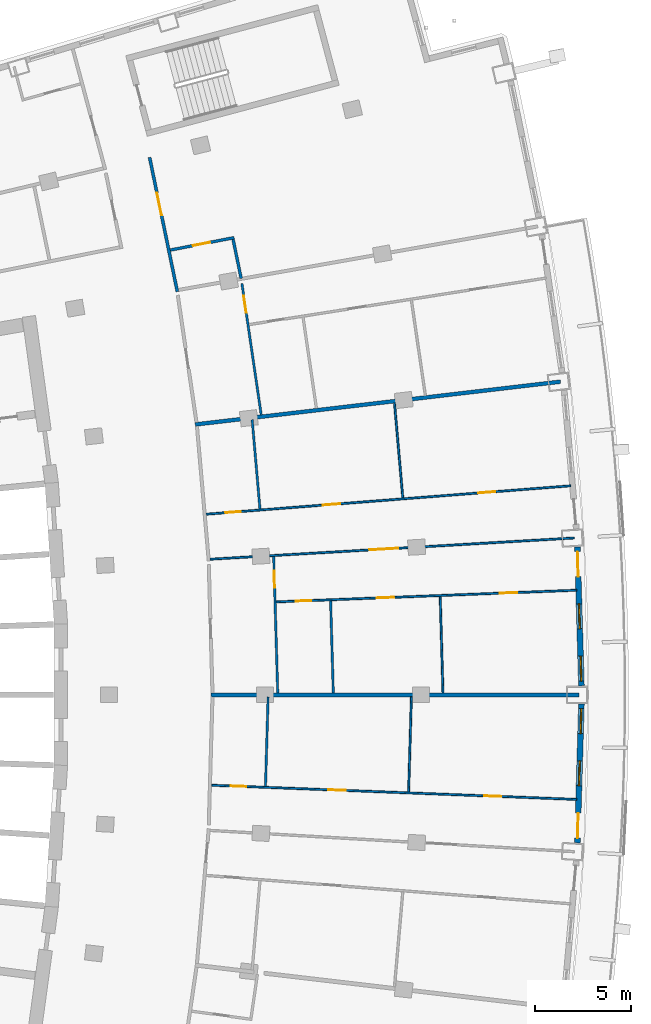
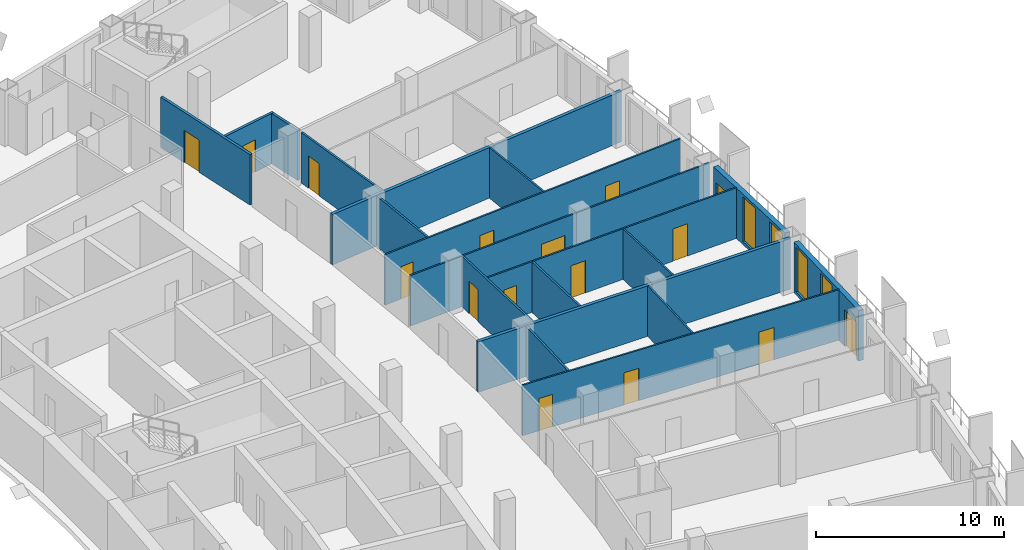
# One storey, part 15 of 21: 19 walls, 16 doors, 4 windows, 20 openings.
"""IFC4 building model written with IfcOpenShell, lengths in metres."""

from ifc_helpers import new_model, si_unit, direction, frame, frame_2d, origin, place, context, subcontext, project, spatial, rectangle, extrude, material, layer, layer_set, type_object, element, fill, save


model = new_model("IFC4")

# Units and contexts
model_context = context("Model", 3, precision=1e-05, world=origin(), true_north=direction((0.0, 1.0)))
body_context = subcontext(model_context, "Body", "Model", "MODEL_VIEW")
ifc_project = project(units=[si_unit("LENGTHUNIT", "METRE"), si_unit("AREAUNIT", "SQUARE_METRE"), si_unit("VOLUMEUNIT", "CUBIC_METRE"), si_unit("PLANEANGLEUNIT", "RADIAN"), si_unit("MASSUNIT", "GRAM", prefix="KILO")], contexts=[model_context])

# Site, building, storey
site_placement = place(None, origin())
site = spatial("IfcSite", under=ifc_project, at=site_placement, CompositionType="ELEMENT")
building_placement = place(site_placement, origin())
building = spatial("IfcBuilding", under=site, at=building_placement, Name="Alderwake Tower", CompositionType="ELEMENT")
storey_placement = place(building_placement, frame((0.0, 0.0, 146.0)))
storey = spatial("IfcBuildingStorey", under=building, at=storey_placement, Name="L35", CompositionType="ELEMENT", Elevation=146.0)

# Wall, opening, door
ifc_material_1 = material(Name="Gypsum board on metal studs, rated")
ifc_layer_1 = layer(ifc_material_1, 0.159912109375)
ifc_layer_set_1 = layer_set([ifc_layer_1], Name="Corridor wall 160")
wall_type_1 = type_object("IfcWallType", Name="Corridor wall 160", PredefinedType="PARTITIONING", material=ifc_layer_set_1)
wall_1_placement = place(storey_placement, frame((37.9169921875, 89.02490234375, 0.0), z_axis=(0.0, 0.0, 1.0), x_axis=(0.202409142021, -0.979301046271, 0.0)))
wall_1 = element("IfcWall", 1, at=wall_1_placement, inside=storey, type_object=wall_type_1, Name="WL/L35/W23", PredefinedType="PARTITIONING", context=body_context, shape_type="SweptSolid", body=[
    extrude(rectangle(XDim=7.150146484375, YDim=0.159912109375, at=frame_2d((3.5751953125, 0.0))), origin(), (0.0, 0.0, 1.0), 3.280029296875),
])
opening_1_placement = place(wall_1_placement, frame((1.874755859375, 0.0, 0.0)))
opening_1 = element("IfcOpeningElement", 2, at=opening_1_placement, cuts=wall_1, Name="Opening R09-AM1.1", PredefinedType="OPENING", context=body_context, shape_type="SweptSolid", body=[
    extrude(rectangle(XDim=1.199951171875, YDim=2.10009765625, at=frame_2d((0.60009765625, 1.050048828125))), frame((0.0, 0.08984375, 0.0), z_axis=(0.0, -1.0, 0.0), x_axis=(1.0, 0.0, 0.0)), (0.0, 0.0, 1.0), 0.179931640625),
])
ifc_material_2 = material(Name="Steel-framed fire door leaf", Category="steel")
door_type_1 = type_object("IfcDoorType", Name="Lobby door 1200 fire-rated", OperationType="SINGLE_SWING_LEFT", PredefinedType="DOOR", material=ifc_material_2)
door_1_placement = place(opening_1_placement, origin())
door_1 = element("IfcDoor", 3, at=door_1_placement, inside=storey, type_object=door_type_1, Name="DR/L35/AM1.1", OperationType="SINGLE_SWING_LEFT", OverallHeight=2.10009765625, OverallWidth=1.199951171875, PredefinedType="DOOR", context=body_context, shape_type="SweptSolid", body=[
    extrude(rectangle(XDim=1.199951171875, YDim=2.10009765625, at=frame_2d((0.60009765625, 1.050048828125))), frame((0.0, 0.02490234375, 0.0), z_axis=(0.0, -1.0, 0.0), x_axis=(1.0, 0.0, 0.0)), (0.0, 0.0, 1.0), 0.050048828125),
])
fill(opening_1, door_1)

# Wall, openings, door, windows
ifc_material_3 = material(Name="Precast concrete C50/60 spandrel panel", Category="concrete")
ifc_layer_2 = layer(ifc_material_3, 0.300048828125)
ifc_layer_set_2 = layer_set([ifc_layer_2], Name="External wall EW1 Precast concrete C50/60 spandrel")
wall_type_2 = type_object("IfcWallType", Name="External wall EW1 Precast concrete C50/60 spandrel", PredefinedType="SOLIDWALL", material=ifc_layer_set_2)
wall_2_placement = place(storey_placement, frame((60.224853515625, 53.28466796875, 0.0), z_axis=(0.0, 0.0, 1.0), x_axis=(0.02918022007, 0.999574166711, 0.0)))
wall_2 = element("IfcWall", 4, at=wall_2_placement, inside=storey, type_object=wall_type_2, Name="External wall 15", PredefinedType="SOLIDWALL", context=body_context, shape_type="SweptSolid", body=[
    extrude(rectangle(XDim=7.24560546875, YDim=0.300048828125, at=frame_2d((3.622802734375, 0.0))), origin(), (0.0, 0.0, 1.0), 3.280029296875),
])
opening_2_placement = place(wall_2_placement, frame((0.2470703125, 0.0, 0.0)))
opening_2 = element("IfcOpeningElement", 5, at=opening_2_placement, cuts=wall_2, Name="Opening D05", PredefinedType="OPENING", context=body_context, shape_type="SweptSolid", body=[
    extrude(rectangle(XDim=1.300048828125, YDim=2.39990234375, at=frame_2d((0.64990234375, 1.199951171875))), frame((0.0, 0.159912109375, 0.0), z_axis=(0.0, -1.0, 0.0), x_axis=(1.0, 0.0, 0.0)), (0.0, 0.0, 1.0), 0.320068359375),
])
opening_3_placement = place(wall_2_placement, frame((2.97265625, 0.0, 0.199951171875)))
opening_3 = element("IfcOpeningElement", 6, at=opening_3_placement, cuts=wall_2, Name="Opening W1", PredefinedType="OPENING", context=body_context, shape_type="SweptSolid", body=[
    extrude(rectangle(XDim=1.300048828125, YDim=2.89990234375, at=frame_2d((0.64990234375, 1.449951171875))), frame((0.0, 0.159912109375, 0.0), z_axis=(0.0, -1.0, 0.0), x_axis=(1.0, 0.0, 0.0)), (0.0, 0.0, 1.0), 0.320068359375),
])
opening_4_placement = place(wall_2_placement, frame((5.698486328125, 0.0, 0.199951171875)))
opening_4 = element("IfcOpeningElement", 7, at=opening_4_placement, cuts=wall_2, Name="Opening W1", PredefinedType="OPENING", context=body_context, shape_type="SweptSolid", body=[
    extrude(rectangle(XDim=1.300048828125, YDim=2.89990234375, at=frame_2d((0.64990234375, 1.449951171875))), frame((0.0, 0.159912109375, 0.0), z_axis=(0.0, -1.0, 0.0), x_axis=(1.0, 0.0, 0.0)), (0.0, 0.0, 1.0), 0.320068359375),
])
ifc_material_4 = material(Name="Bronze tinted glass in aluminium frame", Category="aluminium")
door_type_2 = type_object("IfcDoorType", Name="Balcony door BD sliding", OperationType="SLIDING_TO_LEFT", PredefinedType="DOOR", material=ifc_material_4)
door_2_placement = place(opening_2_placement, origin())
door_2 = element("IfcDoor", 8, at=door_2_placement, inside=storey, type_object=door_type_2, Name="Door D05", OperationType="SLIDING_TO_LEFT", OverallHeight=2.39990234375, OverallWidth=1.300048828125, PredefinedType="DOOR", context=body_context, shape_type="SweptSolid", body=[
    extrude(rectangle(XDim=1.300048828125, YDim=2.39990234375, at=frame_2d((0.64990234375, 1.199951171875))), frame((0.0, 0.02490234375, 0.0), z_axis=(0.0, -1.0, 0.0), x_axis=(1.0, 0.0, 0.0)), (0.0, 0.0, 1.0), 0.050048828125),
])
fill(opening_2, door_2)
ifc_material_5 = material(Name="Bronze tinted glass in aluminium frame", Category="aluminium")
window_type = type_object("IfcWindowType", Name="Window W1 tall fixed and vent", PartitioningType="DOUBLE_PANEL_VERTICAL", PredefinedType="WINDOW", material=ifc_material_5)
window_1_placement = place(opening_3_placement, origin())
window_1 = element("IfcWindow", 9, at=window_1_placement, inside=storey, type_object=window_type, Name="Window W1 tall fixed and vent", OverallHeight=2.89990234375, OverallWidth=1.300048828125, PartitioningType="DOUBLE_PANEL_VERTICAL", PredefinedType="WINDOW", context=body_context, shape_type="SweptSolid", body=[
    extrude(rectangle(XDim=1.300048828125, YDim=2.89990234375, at=frame_2d((0.64990234375, 1.449951171875))), frame((0.0, 0.030029296875, 0.0), z_axis=(0.0, -1.0, 0.0), x_axis=(1.0, 0.0, 0.0)), (0.0, 0.0, 1.0), 0.06005859375),
])
fill(opening_3, window_1)
window_2_placement = place(opening_4_placement, origin())
window_2 = element("IfcWindow", 10, at=window_2_placement, inside=storey, type_object=window_type, Name="Window W1 tall fixed and vent", OverallHeight=2.89990234375, OverallWidth=1.300048828125, PartitioningType="DOUBLE_PANEL_VERTICAL", PredefinedType="WINDOW", context=body_context, shape_type="SweptSolid", body=[
    extrude(rectangle(XDim=1.300048828125, YDim=2.89990234375, at=frame_2d((0.64990234375, 1.449951171875))), frame((0.0, 0.030029296875, 0.0), z_axis=(0.0, -1.0, 0.0), x_axis=(1.0, 0.0, 0.0)), (0.0, 0.0, 1.0), 0.06005859375),
])
fill(opening_4, window_2)

wall_3_placement = place(storey_placement, frame((60.436279296875, 61.472900390625, 0.0), z_axis=(0.0, 0.0, 1.0), x_axis=(-0.02918022007, 0.999574166711, 0.0)))
wall_3 = element("IfcWall", 11, at=wall_3_placement, inside=storey, type_object=wall_type_2, Name="External wall 16", PredefinedType="SOLIDWALL", context=body_context, shape_type="SweptSolid", body=[
    extrude(rectangle(XDim=7.24560546875, YDim=0.300048828125, at=frame_2d((3.622802734375, 0.0))), origin(), (0.0, 0.0, 1.0), 3.280029296875),
])
opening_5_placement = place(wall_3_placement, frame((0.2470703125, 0.0, 0.199951171875)))
opening_5 = element("IfcOpeningElement", 12, at=opening_5_placement, cuts=wall_3, Name="Opening W1", PredefinedType="OPENING", context=body_context, shape_type="SweptSolid", body=[
    extrude(rectangle(XDim=1.300048828125, YDim=2.89990234375, at=frame_2d((0.64990234375, 1.449951171875))), frame((0.0, 0.159912109375, 0.0), z_axis=(0.0, -1.0, 0.0), x_axis=(1.0, 0.0, 0.0)), (0.0, 0.0, 1.0), 0.320068359375),
])
opening_6_placement = place(wall_3_placement, frame((2.97265625, 0.0, 0.199951171875)))
opening_6 = element("IfcOpeningElement", 13, at=opening_6_placement, cuts=wall_3, Name="Opening W1", PredefinedType="OPENING", context=body_context, shape_type="SweptSolid", body=[
    extrude(rectangle(XDim=1.300048828125, YDim=2.89990234375, at=frame_2d((0.64990234375, 1.449951171875))), frame((0.0, 0.159912109375, 0.0), z_axis=(0.0, -1.0, 0.0), x_axis=(1.0, 0.0, 0.0)), (0.0, 0.0, 1.0), 0.320068359375),
])
opening_7_placement = place(wall_3_placement, frame((5.698486328125, 0.0, 0.0)))
opening_7 = element("IfcOpeningElement", 14, at=opening_7_placement, cuts=wall_3, Name="Opening D06", PredefinedType="OPENING", context=body_context, shape_type="SweptSolid", body=[
    extrude(rectangle(XDim=1.300048828125, YDim=2.39990234375, at=frame_2d((0.64990234375, 1.199951171875))), frame((0.0, 0.159912109375, 0.0), z_axis=(0.0, -1.0, 0.0), x_axis=(1.0, 0.0, 0.0)), (0.0, 0.0, 1.0), 0.320068359375),
])
door_3_placement = place(opening_7_placement, origin())
door_3 = element("IfcDoor", 15, at=door_3_placement, inside=storey, type_object=door_type_2, Name="Door D06", OperationType="SLIDING_TO_LEFT", OverallHeight=2.39990234375, OverallWidth=1.300048828125, PredefinedType="DOOR", context=body_context, shape_type="SweptSolid", body=[
    extrude(rectangle(XDim=1.300048828125, YDim=2.39990234375, at=frame_2d((0.64990234375, 1.199951171875))), frame((0.0, 0.02490234375, 0.0), z_axis=(0.0, -1.0, 0.0), x_axis=(1.0, 0.0, 0.0)), (0.0, 0.0, 1.0), 0.050048828125),
])
fill(opening_7, door_3)
window_3_placement = place(opening_5_placement, origin())
window_3 = element("IfcWindow", 16, at=window_3_placement, inside=storey, type_object=window_type, Name="Window W1 tall fixed and vent", OverallHeight=2.89990234375, OverallWidth=1.300048828125, PartitioningType="DOUBLE_PANEL_VERTICAL", PredefinedType="WINDOW", context=body_context, shape_type="SweptSolid", body=[
    extrude(rectangle(XDim=1.300048828125, YDim=2.89990234375, at=frame_2d((0.64990234375, 1.449951171875))), frame((0.0, 0.030029296875, 0.0), z_axis=(0.0, -1.0, 0.0), x_axis=(1.0, 0.0, 0.0)), (0.0, 0.0, 1.0), 0.06005859375),
])
fill(opening_5, window_3)
window_4_placement = place(opening_6_placement, origin())
window_4 = element("IfcWindow", 17, at=window_4_placement, inside=storey, type_object=window_type, Name="Window W1 tall fixed and vent", OverallHeight=2.89990234375, OverallWidth=1.300048828125, PartitioningType="DOUBLE_PANEL_VERTICAL", PredefinedType="WINDOW", context=body_context, shape_type="SweptSolid", body=[
    extrude(rectangle(XDim=1.300048828125, YDim=2.89990234375, at=frame_2d((0.64990234375, 1.449951171875))), frame((0.0, 0.030029296875, 0.0), z_axis=(0.0, -1.0, 0.0), x_axis=(1.0, 0.0, 0.0)), (0.0, 0.0, 1.0), 0.06005859375),
])
fill(opening_6, window_4)

# Walls
ifc_material_6 = material(Name="Dense block masonry wall", Category="masonry")
ifc_layer_3 = layer(ifc_material_6, 0.199951171875)
ifc_layer_set_3 = layer_set([ifc_layer_3], Name="Party wall 200")
wall_type_3 = type_object("IfcWallType", Name="Party wall 200", PredefinedType="SOLIDWALL", material=ifc_layer_set_3)
wall_4_placement = place(storey_placement, frame((40.297607421875, 75.0986328125, 0.0), z_axis=(0.0, 0.0, 1.0), x_axis=(0.993202294783, 0.116401037957, 0.0)))
element("IfcWall", 18, at=wall_4_placement, inside=storey, type_object=wall_type_3, Name="WL/L35/W01", PredefinedType="SOLIDWALL", context=body_context, shape_type="SweptSolid", body=[
    extrude(rectangle(XDim=19.1787109375, YDim=0.199951171875, at=frame_2d((9.58935546875, 0.0))), origin(), (0.0, 0.0, 1.0), 3.280029296875),
])
wall_5_placement = place(storey_placement, frame((60.300048828125, 60.9990234375, 0.0), z_axis=(0.0, 0.0, 1.0), x_axis=(-1.0, 0.0, 0.0)))
element("IfcWall", 19, at=wall_5_placement, inside=storey, type_object=wall_type_3, Name="WL/L35/W06", PredefinedType="SOLIDWALL", context=body_context, shape_type="SweptSolid", body=[
    extrude(rectangle(XDim=19.18115234375, YDim=0.199951171875, at=frame_2d((9.590576171875, 0.0))), origin(), (0.0, 0.0, 1.0), 3.280029296875),
])

# Wall, opening, door
ifc_material_7 = material(Name="Gypsum shaft wall system, rated")
ifc_layer_4 = layer(ifc_material_7, 0.14990234375)
ifc_layer_set_4 = layer_set([ifc_layer_4], Name="Riser and shaft wall 150")
wall_type_4 = type_object("IfcWallType", Name="Riser and shaft wall 150", PredefinedType="PARTITIONING", material=ifc_layer_set_4)
wall_6_placement = place(storey_placement, frame((42.32861328125, 84.84228515625, 0.0), z_axis=(0.0, 0.0, 1.0), x_axis=(-0.981655808185, -0.190661674853, 0.0)))
wall_6 = element("IfcWall", 20, at=wall_6_placement, inside=storey, type_object=wall_type_4, Name="WL/L35/W09", PredefinedType="PARTITIONING", context=body_context, shape_type="SweptSolid", body=[
    extrude(rectangle(XDim=3.393310546875, YDim=0.14990234375, at=frame_2d((1.69677734375, 0.0))), origin(), (0.0, 0.0, 1.0), 3.280029296875),
])
opening_8_placement = place(wall_6_placement, frame((1.2841796875, 0.0, 0.0)))
opening_8 = element("IfcOpeningElement", 21, at=opening_8_placement, cuts=wall_6, Name="Opening R09-AM1.2", PredefinedType="OPENING", context=body_context, shape_type="SweptSolid", body=[
    extrude(rectangle(XDim=0.89990234375, YDim=2.10009765625, at=frame_2d((0.449951171875, 1.050048828125))), frame((0.0, 0.0849609375, 0.0), z_axis=(0.0, -1.0, 0.0), x_axis=(1.0, 0.0, 0.0)), (0.0, 0.0, 1.0), 0.169921875),
])
ifc_material_8 = material(Name="Painted timber leaf", Category="wood")
door_type_3 = type_object("IfcDoorType", Name="Room door 900", OperationType="SINGLE_SWING_LEFT", PredefinedType="DOOR", material=ifc_material_8)
door_4_placement = place(opening_8_placement, origin())
door_4 = element("IfcDoor", 22, at=door_4_placement, inside=storey, type_object=door_type_3, Name="DR/L35/AM1.2", OperationType="SINGLE_SWING_LEFT", OverallHeight=2.10009765625, OverallWidth=0.89990234375, PredefinedType="DOOR", context=body_context, shape_type="SweptSolid", body=[
    extrude(rectangle(XDim=0.89990234375, YDim=2.10009765625, at=frame_2d((0.449951171875, 1.050048828125))), frame((0.0, 0.02490234375, 0.0), z_axis=(0.0, -1.0, 0.0), x_axis=(1.0, 0.0, 0.0)), (0.0, 0.0, 1.0), 0.050048828125),
])
fill(opening_8, door_4)

# Wall
wall_7_placement = place(storey_placement, frame((42.69189453125, 82.714599609375, 0.0), z_axis=(0.0, 0.0, 1.0), x_axis=(-0.202423435623, 0.979298091855, 0.0)))
element("IfcWall", 23, at=wall_7_placement, inside=storey, type_object=wall_type_4, Name="WL/L35/W10", PredefinedType="PARTITIONING", context=body_context, shape_type="SweptSolid", body=[
    extrude(rectangle(XDim=2.0830078125, YDim=0.14990234375, at=frame_2d((1.04150390625, 0.0))), origin(), (0.0, 0.0, 1.0), 3.280029296875),
])

# Wall, openings, doors
ifc_material_9 = material(Name="Gypsum board on metal studs")
ifc_layer_5 = layer(ifc_material_9, 0.10009765625)
ifc_layer_set_5 = layer_set([ifc_layer_5], Name="Unit partition 100")
wall_type_5 = type_object("IfcWallType", Name="Unit partition 100", PredefinedType="PARTITIONING", material=ifc_layer_set_5)
wall_8_placement = place(storey_placement, frame((40.867919921875, 70.419189453125, 0.0), z_axis=(0.0, 0.0, 1.0), x_axis=(0.996975008821, 0.077722788071, 0.0)))
wall_8 = element("IfcWall", 24, at=wall_8_placement, inside=storey, type_object=wall_type_5, Name="WL/L35/W46", PredefinedType="PARTITIONING", context=body_context, shape_type="SweptSolid", body=[
    extrude(rectangle(XDim=19.063720703125, YDim=0.10009765625, at=frame_2d((9.53173828125, 0.0))), origin(), (0.0, 0.0, 1.0), 3.280029296875),
])
opening_9_placement = place(wall_8_placement, frame((6.10400390625, 0.0, 0.0)))
opening_9 = element("IfcOpeningElement", 25, at=opening_9_placement, cuts=wall_8, Name="Opening R09-U06.6", PredefinedType="OPENING", context=body_context, shape_type="SweptSolid", body=[
    extrude(rectangle(XDim=0.89990234375, YDim=2.10009765625, at=frame_2d((0.449951171875, 1.050048828125))), frame((0.0, 0.06005859375, 0.0), z_axis=(0.0, -1.0, 0.0), x_axis=(1.0, 0.0, 0.0)), (0.0, 0.0, 1.0), 0.1201171875),
])
opening_10_placement = place(wall_8_placement, frame((1.009521484375, 0.0, 0.0)))
opening_10 = element("IfcOpeningElement", 26, at=opening_10_placement, cuts=wall_8, Name="Opening R09-U06.7", PredefinedType="OPENING", context=body_context, shape_type="SweptSolid", body=[
    extrude(rectangle(XDim=0.800048828125, YDim=2.10009765625, at=frame_2d((0.39990234375, 1.050048828125))), frame((0.0, 0.06005859375, 0.0), z_axis=(0.0, -1.0, 0.0), x_axis=(1.0, 0.0, 0.0)), (0.0, 0.0, 1.0), 0.1201171875),
])
opening_11_placement = place(wall_8_placement, frame((14.225830078125, 0.0, 0.0)))
opening_11 = element("IfcOpeningElement", 27, at=opening_11_placement, cuts=wall_8, Name="Opening R09-U06.8", PredefinedType="OPENING", context=body_context, shape_type="SweptSolid", body=[
    extrude(rectangle(XDim=0.89990234375, YDim=2.10009765625, at=frame_2d((0.449951171875, 1.050048828125))), frame((0.0, 0.06005859375, 0.0), z_axis=(0.0, -1.0, 0.0), x_axis=(1.0, 0.0, 0.0)), (0.0, 0.0, 1.0), 0.1201171875),
])
ifc_material_10 = material(Name="Painted timber leaf", Category="wood")
door_type_4 = type_object("IfcDoorType", Name="Bathroom door 800", OperationType="SINGLE_SWING_LEFT", PredefinedType="DOOR", material=ifc_material_10)
door_5_placement = place(opening_10_placement, origin())
door_5 = element("IfcDoor", 28, at=door_5_placement, inside=storey, type_object=door_type_4, Name="DR/L35/U06.7", OperationType="SINGLE_SWING_LEFT", OverallHeight=2.10009765625, OverallWidth=0.800048828125, PredefinedType="DOOR", context=body_context, shape_type="SweptSolid", body=[
    extrude(rectangle(XDim=0.800048828125, YDim=2.10009765625, at=frame_2d((0.39990234375, 1.050048828125))), frame((0.0, 0.02490234375, 0.0), z_axis=(0.0, -1.0, 0.0), x_axis=(1.0, 0.0, 0.0)), (0.0, 0.0, 1.0), 0.050048828125),
])
fill(opening_10, door_5)
door_6_placement = place(opening_9_placement, origin())
door_6 = element("IfcDoor", 29, at=door_6_placement, inside=storey, type_object=door_type_3, Name="DR/L35/U06.6", OperationType="SINGLE_SWING_LEFT", OverallHeight=2.10009765625, OverallWidth=0.89990234375, PredefinedType="DOOR", context=body_context, shape_type="SweptSolid", body=[
    extrude(rectangle(XDim=0.89990234375, YDim=2.10009765625, at=frame_2d((0.449951171875, 1.050048828125))), frame((0.0, 0.02490234375, 0.0), z_axis=(0.0, -1.0, 0.0), x_axis=(1.0, 0.0, 0.0)), (0.0, 0.0, 1.0), 0.050048828125),
])
fill(opening_9, door_6)
door_7_placement = place(opening_11_placement, origin())
door_7 = element("IfcDoor", 30, at=door_7_placement, inside=storey, type_object=door_type_3, Name="DR/L35/U06.8", OperationType="SINGLE_SWING_LEFT", OverallHeight=2.10009765625, OverallWidth=0.89990234375, PredefinedType="DOOR", context=body_context, shape_type="SweptSolid", body=[
    extrude(rectangle(XDim=0.89990234375, YDim=2.10009765625, at=frame_2d((0.449951171875, 1.050048828125))), frame((0.0, 0.02490234375, 0.0), z_axis=(0.0, -1.0, 0.0), x_axis=(1.0, 0.0, 0.0)), (0.0, 0.0, 1.0), 0.050048828125),
])
fill(opening_11, door_7)

# Wall, opening, door
wall_9_placement = place(storey_placement, frame((41.074951171875, 68.07177734375, 0.0), z_axis=(0.0, 0.0, 1.0), x_axis=(0.998300831889, 0.058270481797, 0.0)))
wall_9 = element("IfcWall", 31, at=wall_9_placement, inside=storey, type_object=wall_type_5, Name="WL/L35/W47", PredefinedType="PARTITIONING", context=body_context, shape_type="SweptSolid", body=[
    extrude(rectangle(XDim=19.017333984375, YDim=0.10009765625, at=frame_2d((9.5087890625, 0.0))), origin(), (0.0, 0.0, 1.0), 3.280029296875),
])
opening_12_placement = place(wall_9_placement, frame((8.32421875, 0.0, 0.0)))
opening_12 = element("IfcOpeningElement", 32, at=opening_12_placement, cuts=wall_9, Name="Opening R09-U06.9", PredefinedType="OPENING", context=body_context, shape_type="SweptSolid", body=[
    extrude(rectangle(XDim=1.5, YDim=2.10009765625, at=frame_2d((0.75, 1.050048828125))), frame((0.0, 0.06005859375, 0.0), z_axis=(0.0, -1.0, 0.0), x_axis=(1.0, 0.0, 0.0)), (0.0, 0.0, 1.0), 0.1201171875),
])
ifc_material_11 = material(Name="Painted timber leaves", Category="wood")
door_type_5 = type_object("IfcDoorType", Name="Double leaf door 1500", OperationType="DOUBLE_DOOR_SINGLE_SWING", PredefinedType="DOOR", material=ifc_material_11)
door_8_placement = place(opening_12_placement, origin())
door_8 = element("IfcDoor", 33, at=door_8_placement, inside=storey, type_object=door_type_5, Name="DR/L35/U06.9", OperationType="DOUBLE_DOOR_SINGLE_SWING", OverallHeight=2.10009765625, OverallWidth=1.5, PredefinedType="DOOR", context=body_context, shape_type="SweptSolid", body=[
    extrude(rectangle(XDim=1.5, YDim=2.10009765625, at=frame_2d((0.75, 1.050048828125))), frame((0.0, 0.02490234375, 0.0), z_axis=(0.0, -1.0, 0.0), x_axis=(1.0, 0.0, 0.0)), (0.0, 0.0, 1.0), 0.050048828125),
])
fill(opening_12, door_8)

# Wall, openings, doors
wall_10_placement = place(storey_placement, frame((41.143798828125, 56.285888671875, 0.0), z_axis=(0.0, 0.0, 1.0), x_axis=(0.999244261002, -0.038870385308, 0.0)))
wall_10 = element("IfcWall", 34, at=wall_10_placement, inside=storey, type_object=wall_type_5, Name="WL/L35/W48", PredefinedType="PARTITIONING", context=body_context, shape_type="SweptSolid", body=[
    extrude(rectangle(XDim=19.0625, YDim=0.10009765625, at=frame_2d((9.53125, 0.0))), origin(), (0.0, 0.0, 1.0), 3.280029296875),
])
opening_13_placement = place(wall_10_placement, frame((6.102783203125, 0.0, 0.0)))
opening_13 = element("IfcOpeningElement", 35, at=opening_13_placement, cuts=wall_10, Name="Opening R09-U05.5", PredefinedType="OPENING", context=body_context, shape_type="SweptSolid", body=[
    extrude(rectangle(XDim=0.89990234375, YDim=2.10009765625, at=frame_2d((0.449951171875, 1.050048828125))), frame((0.0, 0.06005859375, 0.0), z_axis=(0.0, -1.0, 0.0), x_axis=(1.0, 0.0, 0.0)), (0.0, 0.0, 1.0), 0.1201171875),
])
opening_14_placement = place(wall_10_placement, frame((1.0087890625, 0.0, 0.0)))
opening_14 = element("IfcOpeningElement", 36, at=opening_14_placement, cuts=wall_10, Name="Opening R09-U05.6", PredefinedType="OPENING", context=body_context, shape_type="SweptSolid", body=[
    extrude(rectangle(XDim=0.800048828125, YDim=2.10009765625, at=frame_2d((0.39990234375, 1.050048828125))), frame((0.0, 0.06005859375, 0.0), z_axis=(0.0, -1.0, 0.0), x_axis=(1.0, 0.0, 0.0)), (0.0, 0.0, 1.0), 0.1201171875),
])
opening_15_placement = place(wall_10_placement, frame((14.224609375, 0.0, 0.0)))
opening_15 = element("IfcOpeningElement", 37, at=opening_15_placement, cuts=wall_10, Name="Opening R09-U05.7", PredefinedType="OPENING", context=body_context, shape_type="SweptSolid", body=[
    extrude(rectangle(XDim=0.89990234375, YDim=2.10009765625, at=frame_2d((0.449951171875, 1.050048828125))), frame((0.0, 0.06005859375, 0.0), z_axis=(0.0, -1.0, 0.0), x_axis=(1.0, 0.0, 0.0)), (0.0, 0.0, 1.0), 0.1201171875),
])
door_9_placement = place(opening_14_placement, origin())
door_9 = element("IfcDoor", 38, at=door_9_placement, inside=storey, type_object=door_type_4, Name="DR/L35/U05.6", OperationType="SINGLE_SWING_LEFT", OverallHeight=2.10009765625, OverallWidth=0.800048828125, PredefinedType="DOOR", context=body_context, shape_type="SweptSolid", body=[
    extrude(rectangle(XDim=0.800048828125, YDim=2.10009765625, at=frame_2d((0.39990234375, 1.050048828125))), frame((0.0, 0.02490234375, 0.0), z_axis=(0.0, -1.0, 0.0), x_axis=(1.0, 0.0, 0.0)), (0.0, 0.0, 1.0), 0.050048828125),
])
fill(opening_14, door_9)
door_10_placement = place(opening_13_placement, origin())
door_10 = element("IfcDoor", 39, at=door_10_placement, inside=storey, type_object=door_type_3, Name="DR/L35/U05.5", OperationType="SINGLE_SWING_LEFT", OverallHeight=2.10009765625, OverallWidth=0.89990234375, PredefinedType="DOOR", context=body_context, shape_type="SweptSolid", body=[
    extrude(rectangle(XDim=0.89990234375, YDim=2.10009765625, at=frame_2d((0.449951171875, 1.050048828125))), frame((0.0, 0.02490234375, 0.0), z_axis=(0.0, -1.0, 0.0), x_axis=(1.0, 0.0, 0.0)), (0.0, 0.0, 1.0), 0.050048828125),
])
fill(opening_13, door_10)
door_11_placement = place(opening_15_placement, origin())
door_11 = element("IfcDoor", 40, at=door_11_placement, inside=storey, type_object=door_type_3, Name="DR/L35/U05.7", OperationType="SINGLE_SWING_LEFT", OverallHeight=2.10009765625, OverallWidth=0.89990234375, PredefinedType="DOOR", context=body_context, shape_type="SweptSolid", body=[
    extrude(rectangle(XDim=0.89990234375, YDim=2.10009765625, at=frame_2d((0.449951171875, 1.050048828125))), frame((0.0, 0.02490234375, 0.0), z_axis=(0.0, -1.0, 0.0), x_axis=(1.0, 0.0, 0.0)), (0.0, 0.0, 1.0), 0.050048828125),
])
fill(opening_15, door_11)

wall_11_placement = place(storey_placement, frame((60.19189453125, 66.4560546875, 0.0), z_axis=(0.0, 0.0, 1.0), x_axis=(-0.999243689467, -0.038885075029, 0.0)))
wall_11 = element("IfcWall", 41, at=wall_11_placement, inside=storey, type_object=wall_type_5, Name="WL/L35/W50", PredefinedType="PARTITIONING", context=body_context, shape_type="SweptSolid", body=[
    extrude(rectangle(XDim=15.683837890625, YDim=0.10009765625, at=frame_2d((7.841796875, 0.0))), origin(), (0.0, 0.0, 1.0), 3.280029296875),
])
opening_16_placement = place(wall_11_placement, frame((9.537353515625, 0.0, 0.0)))
opening_16 = element("IfcOpeningElement", 42, at=opening_16_placement, cuts=wall_11, Name="Opening R09-U06.1", PredefinedType="OPENING", context=body_context, shape_type="SweptSolid", body=[
    extrude(rectangle(XDim=0.89990234375, YDim=2.10009765625, at=frame_2d((0.449951171875, 1.050048828125))), frame((0.0, 0.06005859375, 0.0), z_axis=(0.0, -1.0, 0.0), x_axis=(1.0, 0.0, 0.0)), (0.0, 0.0, 1.0), 0.1201171875),
])
opening_17_placement = place(wall_11_placement, frame((13.864990234375, 0.0, 0.0)))
opening_17 = element("IfcOpeningElement", 43, at=opening_17_placement, cuts=wall_11, Name="Opening R09-U06.4", PredefinedType="OPENING", context=body_context, shape_type="SweptSolid", body=[
    extrude(rectangle(XDim=0.800048828125, YDim=2.10009765625, at=frame_2d((0.39990234375, 1.050048828125))), frame((0.0, 0.06005859375, 0.0), z_axis=(0.0, -1.0, 0.0), x_axis=(1.0, 0.0, 0.0)), (0.0, 0.0, 1.0), 0.1201171875),
])
opening_18_placement = place(wall_11_placement, frame((3.114990234375, 0.0, 0.0)))
opening_18 = element("IfcOpeningElement", 44, at=opening_18_placement, cuts=wall_11, Name="Opening R09-U06.5", PredefinedType="OPENING", context=body_context, shape_type="SweptSolid", body=[
    extrude(rectangle(XDim=0.89990234375, YDim=2.10009765625, at=frame_2d((0.449951171875, 1.050048828125))), frame((0.0, 0.06005859375, 0.0), z_axis=(0.0, -1.0, 0.0), x_axis=(1.0, 0.0, 0.0)), (0.0, 0.0, 1.0), 0.1201171875),
])
door_12_placement = place(opening_17_placement, origin())
door_12 = element("IfcDoor", 45, at=door_12_placement, inside=storey, type_object=door_type_4, Name="DR/L35/U06.4", OperationType="SINGLE_SWING_LEFT", OverallHeight=2.10009765625, OverallWidth=0.800048828125, PredefinedType="DOOR", context=body_context, shape_type="SweptSolid", body=[
    extrude(rectangle(XDim=0.800048828125, YDim=2.10009765625, at=frame_2d((0.39990234375, 1.050048828125))), frame((0.0, 0.02490234375, 0.0), z_axis=(0.0, -1.0, 0.0), x_axis=(1.0, 0.0, 0.0)), (0.0, 0.0, 1.0), 0.050048828125),
])
fill(opening_17, door_12)
door_13_placement = place(opening_16_placement, origin())
door_13 = element("IfcDoor", 46, at=door_13_placement, inside=storey, type_object=door_type_3, Name="DR/L35/U06.1", OperationType="SINGLE_SWING_LEFT", OverallHeight=2.10009765625, OverallWidth=0.89990234375, PredefinedType="DOOR", context=body_context, shape_type="SweptSolid", body=[
    extrude(rectangle(XDim=0.89990234375, YDim=2.10009765625, at=frame_2d((0.449951171875, 1.050048828125))), frame((0.0, 0.02490234375, 0.0), z_axis=(0.0, -1.0, 0.0), x_axis=(1.0, 0.0, 0.0)), (0.0, 0.0, 1.0), 0.050048828125),
])
fill(opening_16, door_13)
door_14_placement = place(opening_18_placement, origin())
door_14 = element("IfcDoor", 47, at=door_14_placement, inside=storey, type_object=door_type_3, Name="DR/L35/U06.5", OperationType="SINGLE_SWING_LEFT", OverallHeight=2.10009765625, OverallWidth=0.89990234375, PredefinedType="DOOR", context=body_context, shape_type="SweptSolid", body=[
    extrude(rectangle(XDim=0.89990234375, YDim=2.10009765625, at=frame_2d((0.449951171875, 1.050048828125))), frame((0.0, 0.02490234375, 0.0), z_axis=(0.0, -1.0, 0.0), x_axis=(1.0, 0.0, 0.0)), (0.0, 0.0, 1.0), 0.050048828125),
])
fill(opening_18, door_14)

# Walls
wall_12_placement = place(storey_placement, frame((51.12158203125, 71.269775390625, 0.0), z_axis=(0.0, 0.0, 1.0), x_axis=(-0.087404299635, 0.996172920936, 0.0)))
element("IfcWall", 48, at=wall_12_placement, inside=storey, type_object=wall_type_5, Name="WL/L35/W52", PredefinedType="PARTITIONING", context=body_context, shape_type="SweptSolid", body=[
    extrude(rectangle(XDim=4.963623046875, YDim=0.10009765625, at=frame_2d((2.48193359375, 0.0))), origin(), (0.0, 0.0, 1.0), 3.280029296875),
])
wall_13_placement = place(storey_placement, frame((51.424560546875, 55.93701171875, 0.0), z_axis=(0.0, 0.0, 1.0), x_axis=(0.029312335146, 0.999570301184, 0.0)))
element("IfcWall", 49, at=wall_13_placement, inside=storey, type_object=wall_type_5, Name="WL/L35/W53", PredefinedType="PARTITIONING", context=body_context, shape_type="SweptSolid", body=[
    extrude(rectangle(XDim=4.964111328125, YDim=0.10009765625, at=frame_2d((2.48193359375, 0.0))), origin(), (0.0, 0.0, 1.0), 3.280029296875),
])
wall_14_placement = place(storey_placement, frame((53.217041015625, 61.09912109375, 0.0), z_axis=(0.0, 0.0, 1.0), x_axis=(-0.02897685294, 0.999580082832, 0.0)))
element("IfcWall", 50, at=wall_14_placement, inside=storey, type_object=wall_type_5, Name="WL/L35/W55", PredefinedType="PARTITIONING", context=body_context, shape_type="SweptSolid", body=[
    extrude(rectangle(XDim=5.030029296875, YDim=0.10009765625, at=frame_2d((2.51513671875, 0.0))), origin(), (0.0, 0.0, 1.0), 3.280029296875),
])

# Wall, opening, door
ifc_material_12 = material(Name="Moisture resistant gypsum board on metal studs")
ifc_layer_6 = layer(ifc_material_12, 0.1201171875)
ifc_layer_set_6 = layer_set([ifc_layer_6], Name="Wet room partition 120")
wall_type_6 = type_object("IfcWallType", Name="Wet room partition 120", PredefinedType="PARTITIONING", material=ifc_layer_set_6)
wall_15_placement = place(storey_placement, frame((42.732421875, 82.44775390625, 0.0), z_axis=(0.0, 0.0, 1.0), x_axis=(0.14528876176, -0.989389294316, 0.0)))
wall_15 = element("IfcWall", 51, at=wall_15_placement, inside=storey, type_object=wall_type_6, Name="WL/L35/W37", PredefinedType="PARTITIONING", context=body_context, shape_type="SweptSolid", body=[
    extrude(rectangle(XDim=6.918212890625, YDim=0.1201171875, at=frame_2d((3.458984375, 0.0))), origin(), (0.0, 0.0, 1.0), 3.280029296875),
])
opening_19_placement = place(wall_15_placement, frame((0.63671875, 0.0, 0.0)))
opening_19 = element("IfcOpeningElement", 52, at=opening_19_placement, cuts=wall_15, Name="Opening R09-U07.3", PredefinedType="OPENING", context=body_context, shape_type="SweptSolid", body=[
    extrude(rectangle(XDim=0.89990234375, YDim=2.10009765625, at=frame_2d((0.449951171875, 1.050048828125))), frame((0.0, 0.070068359375, 0.0), z_axis=(0.0, -1.0, 0.0), x_axis=(1.0, 0.0, 0.0)), (0.0, 0.0, 1.0), 0.14013671875),
])
door_15_placement = place(opening_19_placement, origin())
door_15 = element("IfcDoor", 53, at=door_15_placement, inside=storey, type_object=door_type_3, Name="DR/L35/U07.3", OperationType="SINGLE_SWING_LEFT", OverallHeight=2.10009765625, OverallWidth=0.89990234375, PredefinedType="DOOR", context=body_context, shape_type="SweptSolid", body=[
    extrude(rectangle(XDim=0.89990234375, YDim=2.10009765625, at=frame_2d((0.449951171875, 1.050048828125))), frame((0.0, 0.02490234375, 0.0), z_axis=(0.0, -1.0, 0.0), x_axis=(1.0, 0.0, 0.0)), (0.0, 0.0, 1.0), 0.050048828125),
])
fill(opening_19, door_15)

# Walls
wall_16_placement = place(storey_placement, frame((43.672607421875, 70.687744140625, 0.0), z_axis=(0.0, 0.0, 1.0), x_axis=(-0.087010256841, 0.996207415755, 0.0)))
element("IfcWall", 54, at=wall_16_placement, inside=storey, type_object=wall_type_6, Name="WL/L35/W40", PredefinedType="PARTITIONING", context=body_context, shape_type="SweptSolid", body=[
    extrude(rectangle(XDim=4.677490234375, YDim=0.1201171875, at=frame_2d((2.3388671875, 0.0))), origin(), (0.0, 0.0, 1.0), 3.280029296875),
])
wall_17_placement = place(storey_placement, frame((43.96044921875, 56.22802734375, 0.0), z_axis=(0.0, 0.0, 1.0), x_axis=(0.029257801765, 0.999571898883, 0.0)))
element("IfcWall", 55, at=wall_17_placement, inside=storey, type_object=wall_type_6, Name="WL/L35/W41", PredefinedType="PARTITIONING", context=body_context, shape_type="SweptSolid", body=[
    extrude(rectangle(XDim=4.6728515625, YDim=0.1201171875, at=frame_2d((2.33642578125, 0.0))), origin(), (0.0, 0.0, 1.0), 3.280029296875),
])

# Wall, opening, door
wall_18_placement = place(storey_placement, frame((44.389404296875, 68.215087890625, 0.0), z_axis=(0.0, 0.0, 1.0), x_axis=(0.029321452598, -0.999570033773, 0.0)))
wall_18 = element("IfcWall", 56, at=wall_18_placement, inside=storey, type_object=wall_type_6, Name="WL/L35/W42", PredefinedType="PARTITIONING", context=body_context, shape_type="SweptSolid", body=[
    extrude(rectangle(XDim=7.119140625, YDim=0.1201171875, at=frame_2d((3.5595703125, 0.0))), origin(), (0.0, 0.0, 1.0), 3.280029296875),
])
opening_20_placement = place(wall_18_placement, frame((0.736572265625, 0.0, 0.0)))
opening_20 = element("IfcOpeningElement", 57, at=opening_20_placement, cuts=wall_18, Name="Opening R09-U06.3", PredefinedType="OPENING", context=body_context, shape_type="SweptSolid", body=[
    extrude(rectangle(XDim=0.89990234375, YDim=2.10009765625, at=frame_2d((0.449951171875, 1.050048828125))), frame((0.0, 0.070068359375, 0.0), z_axis=(0.0, -1.0, 0.0), x_axis=(1.0, 0.0, 0.0)), (0.0, 0.0, 1.0), 0.14013671875),
])
door_16_placement = place(opening_20_placement, origin())
door_16 = element("IfcDoor", 58, at=door_16_placement, inside=storey, type_object=door_type_3, Name="DR/L35/U06.3", OperationType="SINGLE_SWING_LEFT", OverallHeight=2.10009765625, OverallWidth=0.89990234375, PredefinedType="DOOR", context=body_context, shape_type="SweptSolid", body=[
    extrude(rectangle(XDim=0.89990234375, YDim=2.10009765625, at=frame_2d((0.449951171875, 1.050048828125))), frame((0.0, 0.02490234375, 0.0), z_axis=(0.0, -1.0, 0.0), x_axis=(1.0, 0.0, 0.0)), (0.0, 0.0, 1.0), 0.050048828125),
])
fill(opening_20, door_16)

# Wall
wall_19_placement = place(storey_placement, frame((47.49609375, 61.09912109375, 0.0), z_axis=(0.0, 0.0, 1.0), x_axis=(-0.029045398498, 0.99957809341, 0.0)))
element("IfcWall", 59, at=wall_19_placement, inside=storey, type_object=wall_type_6, Name="WL/L35/W44", PredefinedType="PARTITIONING", context=body_context, shape_type="SweptSolid", body=[
    extrude(rectangle(XDim=4.807861328125, YDim=0.1201171875, at=frame_2d((2.40380859375, 0.0))), origin(), (0.0, 0.0, 1.0), 3.280029296875),
])

save(model, "model.ifc")
